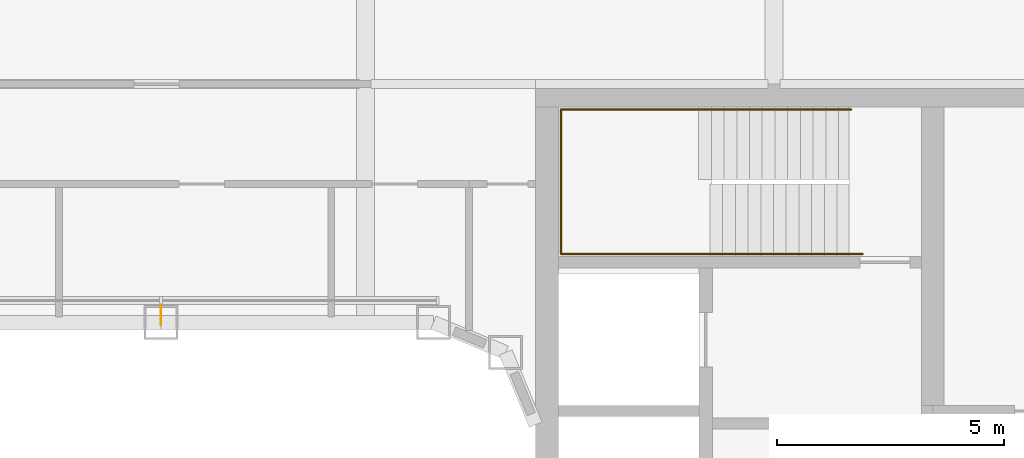
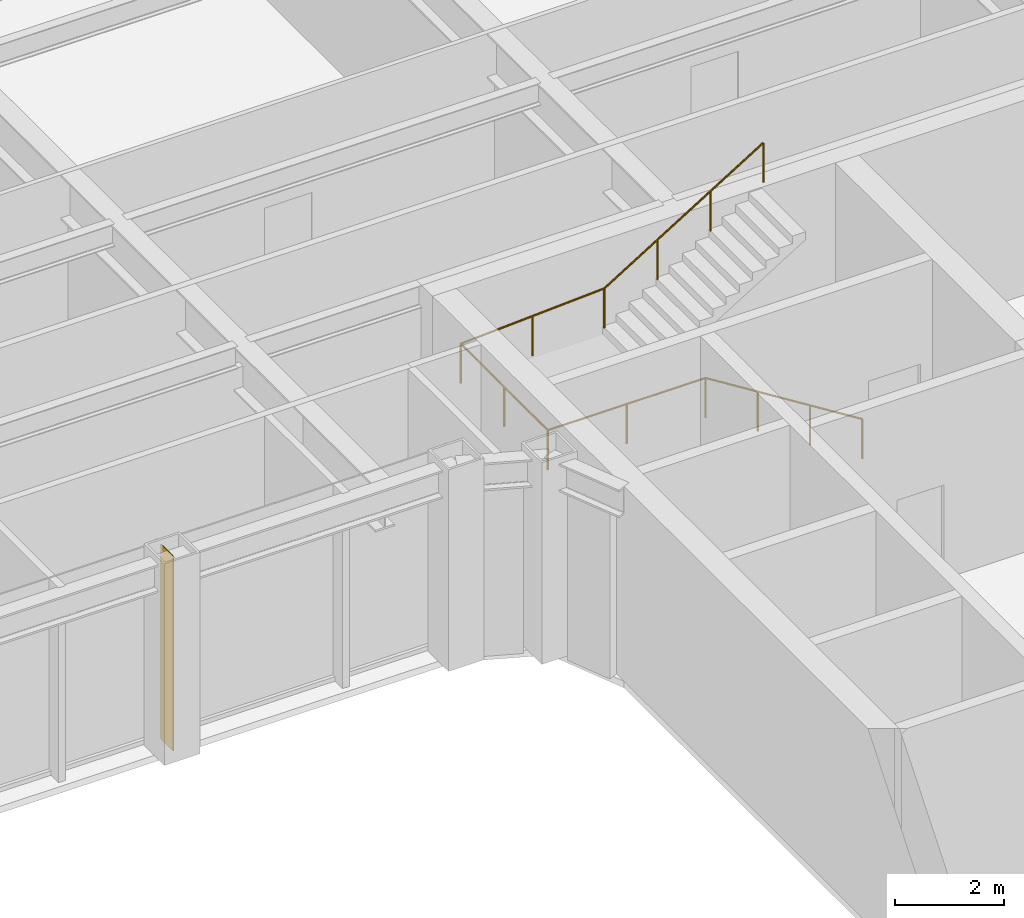
# One storey, part 28 of 30: 1 railing, 1 shading device.
"""IFC4 building model written with IfcOpenShell, lengths in metres."""

from ifc_helpers import new_model, si_unit, direction, frame, origin, origin_2d, place, context, subcontext, project, spatial, rectangle, circle, extrude, material, layer, layer_set, type_object, element, save


model = new_model("IFC4")

# Units and contexts
model_context = context("Model", 3, precision=1e-05, world=origin(), true_north=direction((0.0, 1.0)))
body_context = subcontext(model_context, "Body", "Model", "MODEL_VIEW")
ifc_project = project(units=[si_unit("LENGTHUNIT", "METRE"), si_unit("AREAUNIT", "SQUARE_METRE"), si_unit("VOLUMEUNIT", "CUBIC_METRE"), si_unit("PLANEANGLEUNIT", "RADIAN"), si_unit("MASSUNIT", "GRAM", prefix="KILO")], contexts=[model_context])

# Site, building, storey
site_placement = place(None, origin())
site = spatial("IfcSite", under=ifc_project, at=site_placement, CompositionType="ELEMENT")
building_placement = place(site_placement, origin())
building = spatial("IfcBuilding", under=site, at=building_placement, Name="Siwar Civic Tower", CompositionType="ELEMENT")
storey_placement = place(building_placement, frame((0.0, 0.0, 62.699951171875)))
storey = spatial("IfcBuildingStorey", under=building, at=storey_placement, Name="L13", CompositionType="ELEMENT", Elevation=62.699951171875)

# Railing
ifc_material_1 = material(Name="Stainless steel", Category="steel")
railing_type = type_object("IfcRailingType", Name="CORE-STAIR-HANDRAIL", PredefinedType="HANDRAIL", material=ifc_material_1)
railing_placement = place(storey_placement, frame((15.449951171875, 9.758056640625, 0.173095703125)))
element("IfcRailing", 1, at=railing_placement, inside=storey, type_object=railing_type, Name="Stair handrail ST3", PredefinedType="HANDRAIL", context=body_context, shape_type="SweptSolid", body=[
    extrude(circle(Radius=0.02001953125, at=origin_2d()), frame((0.0, 0.0, 0.8798828125), z_axis=(-0.847063342986, 0.0, 0.531491950051), x_axis=(0.0, -1.0, 0.0)), (0.0, 0.0, 1.0), 3.90771484375),
    extrude(circle(Radius=0.02001953125, at=origin_2d()), frame((-3.31005859375, 0.0, 2.956787109375), z_axis=(-1.0, 0.0, 0.0), x_axis=(0.0, -1.0, 0.0)), (0.0, 0.0, 1.0), 3.331787109375),
    extrude(circle(Radius=0.02001953125, at=origin_2d()), frame((-6.641845703125, 0.0, 2.956787109375), z_axis=(0.0, 1.0, 0.0), x_axis=(-1.0, 0.0, 0.0)), (0.0, 0.0, 1.0), 3.183837890625),
    extrude(circle(Radius=0.02001953125, at=origin_2d()), frame((-6.641845703125, 3.183837890625, 2.956787109375), z_axis=(0.99837434197, 0.0, 0.056997134106), x_axis=(0.0, 1.0, 0.0)), (0.0, 0.0, 1.0), 3.036865234375),
    extrude(circle(Radius=0.02001953125, at=origin_2d()), frame((-3.60986328125, 3.183837890625, 3.1298828125), z_axis=(0.850606129759, 0.0, 0.525803396734), x_axis=(0.0, 1.0, 0.0)), (0.0, 0.0, 1.0), 3.949951171875),
    extrude(circle(Radius=0.02001953125, at=origin_2d()), origin(), (0.0, 0.0, 1.0), 0.85986328125),
    extrude(circle(Radius=0.02001953125, at=origin_2d()), frame((-1.103271484375, 0.0, 0.6923828125)), (0.0, 0.0, 1.0), 0.85986328125),
    extrude(circle(Radius=0.02001953125, at=origin_2d()), frame((-2.206787109375, 0.0, 1.384521484375)), (0.0, 0.0, 1.0), 0.85986328125),
    extrude(circle(Radius=0.02001953125, at=origin_2d()), frame((-3.31005859375, 0.0, 2.076904296875)), (0.0, 0.0, 1.0), 0.85986328125),
    extrude(circle(Radius=0.02001953125, at=origin_2d()), frame((-4.97607421875, 0.0, 2.076904296875)), (0.0, 0.0, 1.0), 0.85986328125),
    extrude(circle(Radius=0.02001953125, at=origin_2d()), frame((-6.641845703125, 0.0, 2.076904296875)), (0.0, 0.0, 1.0), 0.85986328125),
    extrude(circle(Radius=0.02001953125, at=origin_2d()), frame((-6.641845703125, 1.591796875, 2.076904296875)), (0.0, 0.0, 1.0), 0.85986328125),
    extrude(circle(Radius=0.02001953125, at=origin_2d()), frame((-6.641845703125, 3.183837890625, 2.076904296875)), (0.0, 0.0, 1.0), 0.85986328125),
    extrude(circle(Radius=0.02001953125, at=origin_2d()), frame((-5.1259765625, 3.183837890625, 2.16357421875)), (0.0, 0.0, 1.0), 0.85986328125),
    extrude(circle(Radius=0.02001953125, at=origin_2d()), frame((-3.60986328125, 3.183837890625, 2.25)), (0.0, 0.0, 1.0), 0.85986328125),
    extrude(circle(Radius=0.02001953125, at=origin_2d()), frame((-2.489990234375, 3.183837890625, 2.9423828125)), (0.0, 0.0, 1.0), 0.85986328125),
    extrude(circle(Radius=0.02001953125, at=origin_2d()), frame((-1.369873046875, 3.183837890625, 3.634521484375)), (0.0, 0.0, 1.0), 0.85986328125),
    extrude(circle(Radius=0.02001953125, at=origin_2d()), frame((-0.25, 3.183837890625, 4.326904296875)), (0.0, 0.0, 1.0), 0.85986328125),
])

# Shading device
ifc_material_2 = material(Name="Aluminium 6063-T6", Category="aluminium")
ifc_layer = layer(ifc_material_2, 0.02001953125)
ifc_layer_set = layer_set([ifc_layer], Name="Aluminium 6063-T6")
shading_device_type = type_object("IfcShadingDeviceType", Name="ENV-FIN", PredefinedType="JALOUSIE", material=ifc_layer_set)
shading_device_placement = place(storey_placement, frame((0.0, 8.419921875, 0.0), z_axis=(0.0, 0.0, 1.0), x_axis=(-1.0, 0.0, 0.0)))
element("IfcShadingDevice", 2, at=shading_device_placement, inside=storey, type_object=shading_device_type, Name="SUNSHADE fin WN 1", PredefinedType="JALOUSIE", context=body_context, shape_type="SweptSolid", body=[
    extrude(rectangle(XDim=0.02001953125, YDim=0.449951171875, at=origin_2d()), origin(), (0.0, 0.0, 1.0), 4.35009765625),
])

save(model, "model.ifc")
